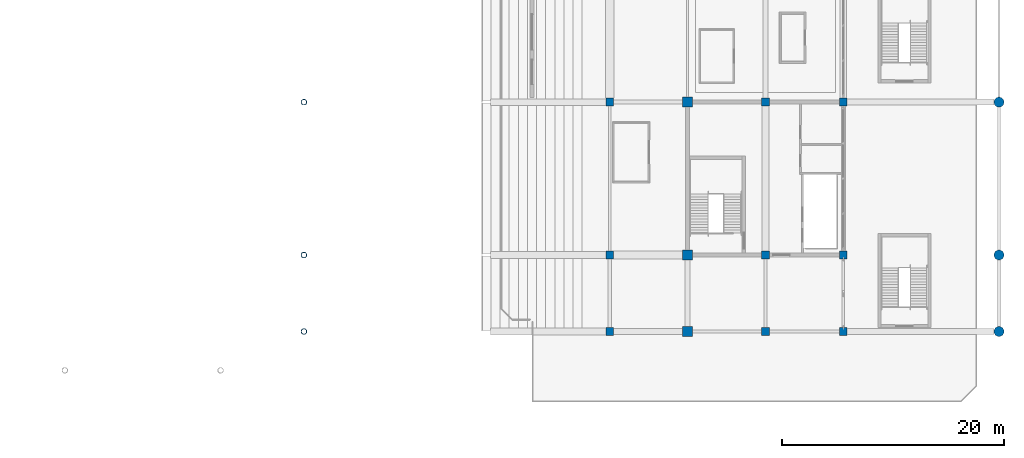
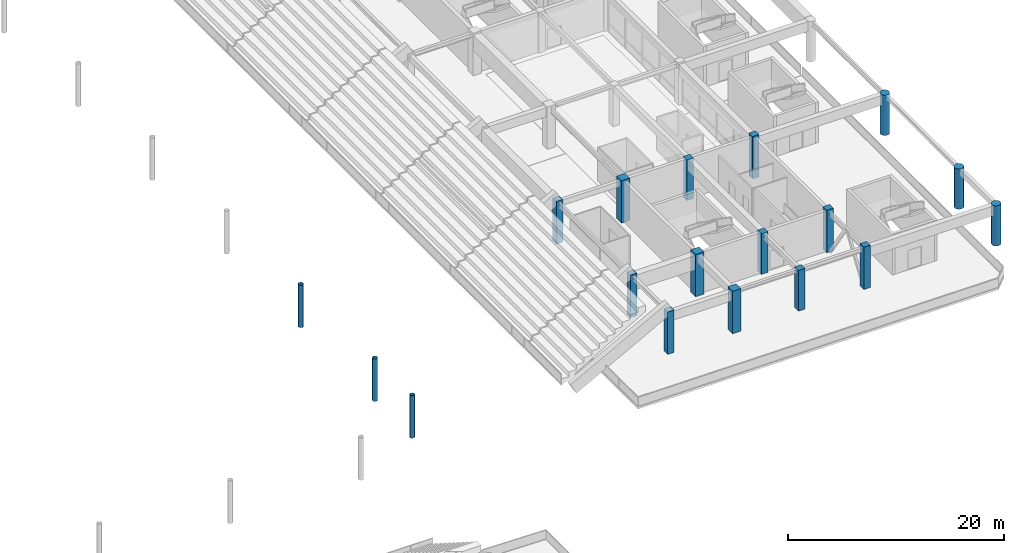
# One storey, part 6 of 94: 18 columns.
"""IFC4 building model written with IfcOpenShell, lengths in metres."""

from ifc_helpers import new_model, si_unit, direction, frame, origin, origin_2d, place, context, subcontext, project, spatial, rectangle, circle, hollow_circle, extrude, material, material_profile, profile_set, type_object, element, save


model = new_model("IFC4")

# Units and contexts
model_context = context("Model", 3, precision=1e-05, world=origin(), true_north=direction((0.0, 1.0)))
body_context = subcontext(model_context, "Body", "Model", "MODEL_VIEW")
ifc_project = project(units=[si_unit("LENGTHUNIT", "METRE"), si_unit("AREAUNIT", "SQUARE_METRE"), si_unit("VOLUMEUNIT", "CUBIC_METRE"), si_unit("PLANEANGLEUNIT", "RADIAN"), si_unit("MASSUNIT", "GRAM", prefix="KILO")], contexts=[model_context])

# Site, building, storey
site_placement = place(None, origin())
site = spatial("IfcSite", under=ifc_project, at=site_placement, CompositionType="ELEMENT")
building_placement = place(site_placement, origin())
building = spatial("IfcBuilding", under=site, at=building_placement, Name="Linyun Crest Stadium", CompositionType="ELEMENT")
storey_placement = place(building_placement, frame((0.0, 0.0, 16.199951171875)))
storey = spatial("IfcBuildingStorey", under=building, at=storey_placement, Name="L04", CompositionType="ELEMENT", Elevation=16.199951171875)

# Columns
ifc_material_1 = material(Name="Concrete C50", Category="concrete")
ifc_material_profile_1 = material_profile(ifc_material_1, rectangle(XDim=0.699951171875, YDim=0.699951171875, at=origin_2d()), Name="RC 700x700")
ifc_profile_set_1 = profile_set([ifc_material_profile_1], Name="Concrete C50")
column_type_1 = type_object("IfcColumnType", Name="C02", PredefinedType="COLUMN", material=ifc_profile_set_1)
for number, where, z_axis, x_axis, name in (
    (1, (63.0, -46.0, 0.0), (0.0, 0.0, 1.0), (1.0, 0.0, 0.0), "Column C02 L04 357"),
    (2, (63.0, -39.125, 0.0), (0.0, 0.0, 1.0), (1.0, 0.0, 0.0), "Column C02 L04 362"),
    (3, (63.0, -25.375, 0.0), (0.0, 0.0, 1.0), (1.0, 0.0, 0.0), "Column C02 L04 367"),
):
    element("IfcColumn", number, at=place(storey_placement, frame(where, z_axis=z_axis, x_axis=x_axis)), inside=storey, type_object=column_type_1, Name=name, PredefinedType="COLUMN", context=body_context, shape_type="SweptSolid", body=[
        extrude(rectangle(XDim=0.699951171875, YDim=0.699951171875, at=origin_2d()), origin(), (0.0, 0.0, 1.0), 4.800048828125),
    ])
for number, where, z_axis, x_axis, name in (
    (4, (77.0, -46.0, 0.0), (0.0, 0.0, 1.0), (1.0, 0.0, 0.0), "Column C02 L04 445"),
    (5, (77.0, -39.125, 0.0), (0.0, 0.0, 1.0), (1.0, 0.0, 0.0), "Column C02 L04 450"),
    (6, (77.0, -25.375, 0.0), (0.0, 0.0, 1.0), (1.0, 0.0, 0.0), "Column C02 L04 455"),
):
    element("IfcColumn", number, at=place(storey_placement, frame(where, z_axis=z_axis, x_axis=x_axis)), inside=storey, type_object=column_type_1, Name=name, PredefinedType="COLUMN", context=body_context, shape_type="SweptSolid", body=[
        extrude(rectangle(XDim=0.699951171875, YDim=0.699951171875, at=origin_2d()), origin(), (0.0, 0.0, 1.0), 4.60009765625),
    ])
for number, where, z_axis, x_axis, name in (
    (7, (84.0, -46.0, 0.0), (0.0, 0.0, 1.0), (1.0, 0.0, 0.0), "Column C02 L04 485"),
    (8, (84.0, -39.125, 0.0), (0.0, 0.0, 1.0), (1.0, 0.0, 0.0), "Column C02 L04 491"),
    (9, (84.0, -25.375, 0.0), (0.0, 0.0, 1.0), (1.0, 0.0, 0.0), "Column C02 L04 497"),
):
    element("IfcColumn", number, at=place(storey_placement, frame(where, z_axis=z_axis, x_axis=x_axis)), inside=storey, type_object=column_type_1, Name=name, PredefinedType="COLUMN", context=body_context, shape_type="SweptSolid", body=[
        extrude(rectangle(XDim=0.699951171875, YDim=0.699951171875, at=origin_2d()), origin(), (0.0, 0.0, 1.0), 4.798095703125),
    ])
ifc_material_2 = material(Name="Concrete C50", Category="concrete")
ifc_material_profile_2 = material_profile(ifc_material_2, rectangle(XDim=0.89990234375, YDim=0.89990234375, at=origin_2d()), Name="RC 900x900")
ifc_profile_set_2 = profile_set([ifc_material_profile_2], Name="Concrete C50")
column_type_2 = type_object("IfcColumnType", Name="C04", PredefinedType="COLUMN", material=ifc_profile_set_2)
for number, where, z_axis, x_axis, name in (
    (10, (70.0, -46.0, 0.0), (0.0, 0.0, 1.0), (1.0, 0.0, 0.0), "Column C04 L04 397"),
    (11, (70.0, -39.125, 0.0), (0.0, 0.0, 1.0), (1.0, 0.0, 0.0), "Column C04 L04 403"),
    (12, (70.0, -25.375, 0.0), (0.0, 0.0, 1.0), (1.0, 0.0, 0.0), "Column C04 L04 409"),
):
    element("IfcColumn", number, at=place(storey_placement, frame(where, z_axis=z_axis, x_axis=x_axis)), inside=storey, type_object=column_type_2, Name=name, PredefinedType="COLUMN", context=body_context, shape_type="SweptSolid", body=[
        extrude(rectangle(XDim=0.89990234375, YDim=0.89990234375, at=origin_2d()), origin(), (0.0, 0.0, 1.0), 4.798095703125),
    ])
ifc_material_3 = material(Name="Concrete C50", Category="concrete")
ifc_material_profile_3 = material_profile(ifc_material_3, circle(Radius=0.449951171875, at=origin_2d()), Name="RC D900")
ifc_profile_set_3 = profile_set([ifc_material_profile_3], Name="Concrete C50")
column_type_3 = type_object("IfcColumnType", Name="C08", PredefinedType="COLUMN", material=ifc_profile_set_3)
for number, where, z_axis, x_axis, name in (
    (13, (98.0, -46.0, 0.0), (0.0, 0.0, 1.0), (1.0, 0.0, 0.0), "Column C08 L04 533"),
    (14, (98.0, -39.125, 0.0), (0.0, 0.0, 1.0), (1.0, 0.0, 0.0), "Column C08 L04 538"),
    (15, (98.0, -25.375, 0.0), (0.0, 0.0, 1.0), (1.0, 0.0, 0.0), "Column C08 L04 543"),
):
    element("IfcColumn", number, at=place(storey_placement, frame(where, z_axis=z_axis, x_axis=x_axis)), inside=storey, type_object=column_type_3, Name=name, PredefinedType="COLUMN", context=body_context, shape_type="SweptSolid", body=[
        extrude(circle(Radius=0.449951171875, at=origin_2d()), origin(), (0.0, 0.0, 1.0), 4.56005859375),
    ])
ifc_material_4 = material(Name="Steel Q355C", Category="steel")
ifc_material_profile_4 = material_profile(ifc_material_4, hollow_circle(Radius=0.25390625, WallThickness=0.02490234375, at=origin_2d()), Name="CHS 508x25")
ifc_profile_set_4 = profile_set([ifc_material_profile_4], Name="Steel Q355C")
column_type_4 = type_object("IfcColumnType", Name="SC05", PredefinedType="COLUMN", material=ifc_profile_set_4)
for number, where, z_axis, x_axis, name in (
    (16, (35.5, -46.0, 0.0), (0.0, 0.0, 1.0), (1.0, 0.0, 0.0), "Arch colonnade column SC05 L04 18"),
    (17, (35.5, -39.125, 0.0), (0.0, 0.0, 1.0), (1.0, 0.0, 0.0), "Arch colonnade column SC05 L04 20"),
    (18, (35.5, -25.375, 0.0), (0.0, 0.0, 1.0), (1.0, 0.0, 0.0), "Arch colonnade column SC05 L04 22"),
):
    element("IfcColumn", number, at=place(storey_placement, frame(where, z_axis=z_axis, x_axis=x_axis)), inside=storey, type_object=column_type_4, Name=name, PredefinedType="COLUMN", context=body_context, shape_type="SweptSolid", body=[
        extrude(hollow_circle(Radius=0.25390625, WallThickness=0.02490234375, at=origin_2d()), origin(), (0.0, 0.0, 1.0), 4.800048828125),
    ])

save(model, "model.ifc")
